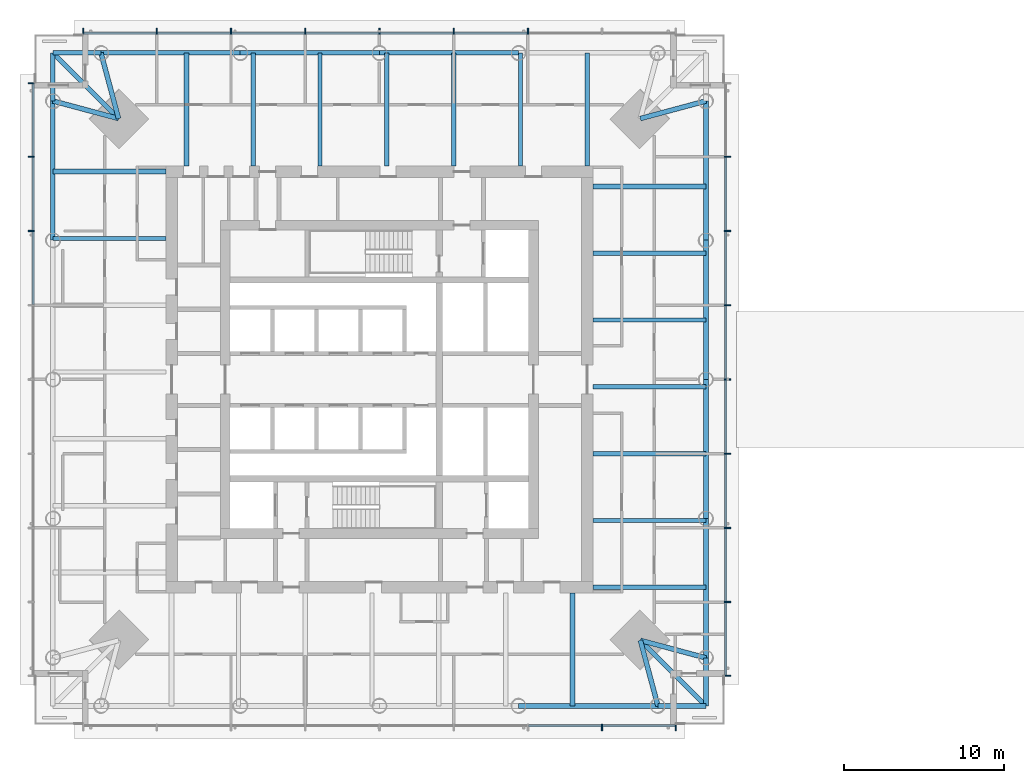
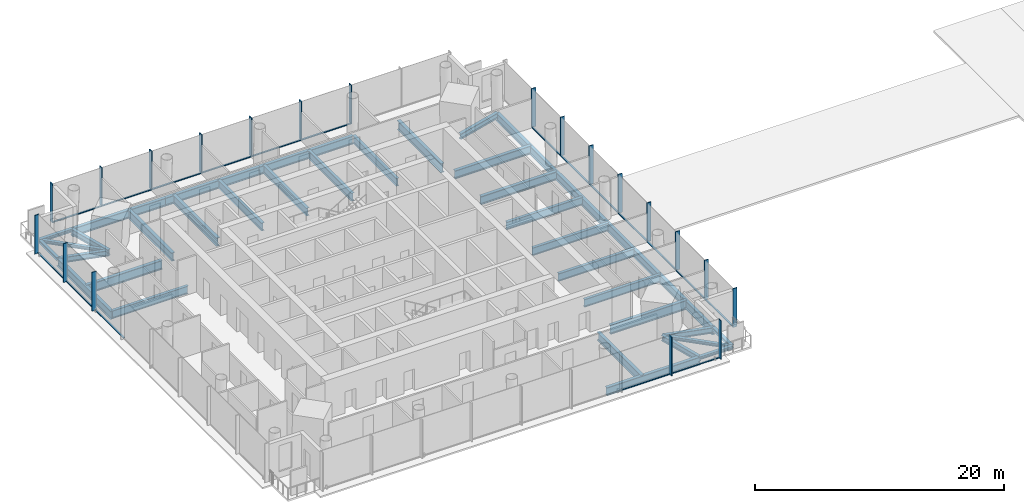
# One storey, part 2 of 16: 38 members, 37 beams, 4 elements without a shape of their own.
"""IFC4 building model written with IfcOpenShell, lengths in metres."""

from ifc_helpers import new_model, si_unit, direction, frame, origin, origin_2d, place, context, subcontext, project, spatial, rectangle, i_section, extrude, material, material_profile, profile_set, type_object, element, aggregate, save


model = new_model("IFC4")

# Units and contexts
model_context = context("Model", 3, precision=1e-05, world=origin(), true_north=direction((0.0, 1.0)))
body_context = subcontext(model_context, "Body", "Model", "MODEL_VIEW")
ifc_project = project(units=[si_unit("LENGTHUNIT", "METRE"), si_unit("AREAUNIT", "SQUARE_METRE"), si_unit("VOLUMEUNIT", "CUBIC_METRE"), si_unit("PLANEANGLEUNIT", "RADIAN"), si_unit("MASSUNIT", "GRAM", prefix="KILO")], contexts=[model_context])

# Site, building, storey
site_placement = place(None, origin())
site = spatial("IfcSite", under=ifc_project, at=site_placement, CompositionType="ELEMENT")
building_placement = place(site_placement, origin())
building = spatial("IfcBuilding", under=site, at=building_placement, Name="Ostroluk Exchange", CompositionType="ELEMENT")
storey_placement = place(building_placement, frame((0.0, 0.0, 135.0)))
storey = spatial("IfcBuildingStorey", under=building, at=storey_placement, Name="L34", CompositionType="ELEMENT", Elevation=135.0)

# Beams
ifc_material_1 = material(Name="Steel S355", Category="steel")
ifc_material_profile_1 = material_profile(ifc_material_1, i_section(OverallWidth=0.300048828125, OverallDepth=0.300048828125, WebThickness=0.010986328125, FlangeThickness=0.01904296875, FilletRadius=0.027099609375, at=origin_2d()), Name="HEB 300")
ifc_profile_set_1 = profile_set([ifc_material_profile_1], Name="Steel S355")
beam_type_1 = type_object("IfcBeamType", Name="Balcony beam HEB 300", PredefinedType="BEAM", material=ifc_profile_set_1)
for number, where, z_axis, x_axis, name in (
    (1, (27.642822265625, 66.357177734375, -0.330078125), (-1.0, 0.0, 0.0), (0.0, -1.0, 0.0), "T1 north balcony beam a"),
    (2, (24.642822265625, 63.357177734375, -0.330078125), (0.0, 1.0, 0.0), (-1.0, 0.0, 0.0), "T1 north balcony beam b"),
):
    element("IfcBeam", number, at=place(storey_placement, frame(where, z_axis=z_axis, x_axis=x_axis)), inside=storey, type_object=beam_type_1, Name=name, PredefinedType="BEAM", context=body_context, shape_type="SweptSolid", body=[
        extrude(i_section(OverallWidth=0.300048828125, OverallDepth=0.300048828125, WebThickness=0.010986328125, FlangeThickness=0.01904296875, FilletRadius=0.027099609375, at=origin_2d()), origin(), (0.0, 0.0, 1.0), 3.0),
    ])
beam_1_placement = place(storey_placement, frame((28.742919921875, 62.257080078125, -0.330078125), z_axis=(-0.707106781187, 0.707106781187, 0.0), x_axis=(-0.707106781187, -0.707106781187, 0.0)))
element("IfcBeam", 3, at=beam_1_placement, inside=storey, type_object=beam_type_1, Name="T1 north balcony beam c", PredefinedType="BEAM", context=body_context, shape_type="SweptSolid", body=[
    extrude(i_section(OverallWidth=0.300048828125, OverallDepth=0.300048828125, WebThickness=0.010986328125, FlangeThickness=0.01904296875, FilletRadius=0.027099609375, at=origin_2d()), origin(), (0.0, 0.0, 1.0), 5.79833984375),
])
for number, where, z_axis, x_axis, name in (
    (4, (62.357177734375, 25.642822265625, -0.330078125), (1.0, 0.0, 0.0), (0.0, 1.0, 0.0), "T1 south balcony beam a"),
    (5, (65.357177734375, 28.642822265625, -0.330078125), (0.0, -1.0, 0.0), (1.0, 0.0, 0.0), "T1 south balcony beam b"),
):
    element("IfcBeam", number, at=place(storey_placement, frame(where, z_axis=z_axis, x_axis=x_axis)), inside=storey, type_object=beam_type_1, Name=name, PredefinedType="BEAM", context=body_context, shape_type="SweptSolid", body=[
        extrude(i_section(OverallWidth=0.300048828125, OverallDepth=0.300048828125, WebThickness=0.010986328125, FlangeThickness=0.01904296875, FilletRadius=0.027099609375, at=origin_2d()), origin(), (0.0, 0.0, 1.0), 3.0),
    ])
beam_2_placement = place(storey_placement, frame((61.257080078125, 29.742919921875, -0.330078125), z_axis=(0.707106781187, -0.707106781187, 0.0), x_axis=(0.707106781187, 0.707106781187, 0.0)))
element("IfcBeam", 6, at=beam_2_placement, inside=storey, type_object=beam_type_1, Name="T1 south balcony beam c", PredefinedType="BEAM", context=body_context, shape_type="SweptSolid", body=[
    extrude(i_section(OverallWidth=0.300048828125, OverallDepth=0.300048828125, WebThickness=0.010986328125, FlangeThickness=0.01904296875, FilletRadius=0.027099609375, at=origin_2d()), origin(), (0.0, 0.0, 1.0), 5.79833984375),
])
ifc_material_2 = material(Name="Steel S355", Category="steel")
ifc_material_profile_2 = material_profile(ifc_material_2, i_section(OverallWidth=0.300048828125, OverallDepth=0.550048828125, WebThickness=0.014892578125, FlangeThickness=0.029052734375, FilletRadius=0.027099609375, at=origin_2d()), Name="HEB 550")
ifc_profile_set_2 = profile_set([ifc_material_profile_2], Name="Steel S355")
beam_type_2 = type_object("IfcBeamType", Name="Corner edge beam HEB 550", PredefinedType="SPANDREL", material=ifc_profile_set_2)
for number, where, z_axis, x_axis, name in (
    (7, (61.257080078125, 62.257080078125, -0.455078125), (0.965838624319, 0.259144268261, 0.0), (-0.259144268261, 0.965838624319, 0.0), "T1 east corner edge beam a"),
    (8, (28.742919921875, 62.257080078125, -0.455078125), (-0.259144268261, 0.965838624319, 0.0), (-0.965838624319, -0.259144268261, 0.0), "T1 north corner edge beam a"),
    (9, (28.742919921875, 62.257080078125, -0.455078125), (-0.965838624319, 0.259144268261, 0.0), (-0.259144268261, -0.965838624319, 0.0), "T1 north corner edge beam b"),
    (10, (61.257080078125, 29.742919921875, -0.455078125), (0.259144268261, -0.965838624319, 0.0), (0.965838624319, 0.259144268261, 0.0), "T1 south corner edge beam a"),
    (11, (61.257080078125, 29.742919921875, -0.455078125), (0.965838624319, -0.259144268261, 0.0), (0.259144268261, 0.965838624319, 0.0), "T1 south corner edge beam b"),
):
    element("IfcBeam", number, at=place(storey_placement, frame(where, z_axis=z_axis, x_axis=x_axis)), inside=storey, type_object=beam_type_2, Name=name, PredefinedType="SPANDREL", context=body_context, shape_type="SweptSolid", body=[
        extrude(i_section(OverallWidth=0.300048828125, OverallDepth=0.550048828125, WebThickness=0.014892578125, FlangeThickness=0.029052734375, FilletRadius=0.027099609375, at=origin_2d()), origin(), (0.0, 0.0, 1.0), 4.2451171875),
    ])
ifc_material_3 = material(Name="Steel S355", Category="steel")
ifc_material_profile_3 = material_profile(ifc_material_3, i_section(OverallWidth=0.302978515625, OverallDepth=0.81396484375, WebThickness=0.02099609375, FlangeThickness=0.0400390625, FilletRadius=0.030029296875, at=origin_2d()), Name="HEM 800")
ifc_profile_set_3 = profile_set([ifc_material_profile_3], Name="Steel S355")
beam_type_3 = type_object("IfcBeamType", Name="Floor beam HEM 800", PredefinedType="BEAM", material=ifc_profile_set_3)
for number, where, z_axis, x_axis, name in (
    (12, (58.300048828125, 53.866943359375, -0.5869140625), (1.0, 0.0, 0.0), (0.0, 1.0, 0.0), "T1 east floor beam 5"),
    (13, (58.300048828125, 58.0302734375, -0.5869140625), (1.0, 0.0, 0.0), (0.0, 1.0, 0.0), "T1 east floor beam 6"),
    (14, (37.133056640625, 59.300048828125, -0.5869140625), (0.0, 1.0, 0.0), (-1.0, 0.0, 0.0), "T1 north floor beam 5"),
    (15, (32.9697265625, 59.300048828125, -0.5869140625), (0.0, 1.0, 0.0), (-1.0, 0.0, 0.0), "T1 north floor beam 6"),
    (16, (57.0302734375, 32.699951171875, -0.5869140625), (0.0, -1.0, 0.0), (1.0, 0.0, 0.0), "T1 south floor beam 6"),
):
    element("IfcBeam", number, at=place(storey_placement, frame(where, z_axis=z_axis, x_axis=x_axis)), inside=storey, type_object=beam_type_3, Name=name, PredefinedType="BEAM", context=body_context, shape_type="SweptSolid", body=[
        extrude(i_section(OverallWidth=0.302978515625, OverallDepth=0.81396484375, WebThickness=0.02099609375, FlangeThickness=0.0400390625, FilletRadius=0.030029296875, at=origin_2d()), origin(), (0.0, 0.0, 1.0), 7.05712890625),
    ])
ifc_material_4 = material(Name="Steel S355", Category="steel")
ifc_material_profile_4 = material_profile(ifc_material_4, i_section(OverallWidth=0.26708984375, OverallDepth=0.761962890625, WebThickness=0.014404296875, FlangeThickness=0.021484375, FilletRadius=0.01708984375, at=origin_2d()), Name="IPE 750x173")
ifc_profile_set_4 = profile_set([ifc_material_profile_4], Name="Steel S355")
beam_type_4 = type_object("IfcBeamType", Name="Floor beam IPE 750x173", PredefinedType="BEAM", material=ifc_profile_set_4)
for number, where, z_axis, x_axis, name in (
    (17, (58.300048828125, 37.21337890625, -0.56103515625), (1.0, 0.0, 0.0), (0.0, 1.0, 0.0), "T1 east floor beam 1"),
    (18, (58.300048828125, 41.376708984375, -0.56103515625), (1.0, 0.0, 0.0), (0.0, 1.0, 0.0), "T1 east floor beam 2"),
    (19, (58.300048828125, 45.540283203125, -0.56103515625), (1.0, 0.0, 0.0), (0.0, 1.0, 0.0), "T1 east floor beam 3"),
    (20, (58.300048828125, 49.70361328125, -0.56103515625), (1.0, 0.0, 0.0), (0.0, 1.0, 0.0), "T1 east floor beam 4"),
    (21, (53.78662109375, 59.300048828125, -0.56103515625), (0.0, 1.0, 0.0), (-1.0, 0.0, 0.0), "T1 north floor beam 1"),
    (22, (49.623291015625, 59.300048828125, -0.56103515625), (0.0, 1.0, 0.0), (-1.0, 0.0, 0.0), "T1 north floor beam 2"),
    (23, (45.459716796875, 59.300048828125, -0.56103515625), (0.0, 1.0, 0.0), (-1.0, 0.0, 0.0), "T1 north floor beam 3"),
    (24, (41.29638671875, 59.300048828125, -0.56103515625), (0.0, 1.0, 0.0), (-1.0, 0.0, 0.0), "T1 north floor beam 4"),
    (25, (31.699951171875, 54.78662109375, -0.56103515625), (-1.0, 0.0, 0.0), (0.0, -1.0, 0.0), "T1 west floor beam 1"),
):
    element("IfcBeam", number, at=place(storey_placement, frame(where, z_axis=z_axis, x_axis=x_axis)), inside=storey, type_object=beam_type_4, Name=name, PredefinedType="BEAM", context=body_context, shape_type="SweptSolid", body=[
        extrude(i_section(OverallWidth=0.26708984375, OverallDepth=0.761962890625, WebThickness=0.014404296875, FlangeThickness=0.021484375, FilletRadius=0.01708984375, at=origin_2d()), origin(), (0.0, 0.0, 1.0), 7.05712890625),
    ])
ifc_material_5 = material(Name="Steel S355", Category="steel")
ifc_material_profile_5 = material_profile(ifc_material_5, i_section(OverallWidth=0.300048828125, OverallDepth=0.89990234375, WebThickness=0.0185546875, FlangeThickness=0.034912109375, FilletRadius=0.030029296875, at=origin_2d()), Name="HEB 900")
ifc_profile_set_5 = profile_set([ifc_material_profile_5], Name="Steel S355")
beam_type_5 = type_object("IfcBeamType", Name="Girder HEB 900", PredefinedType="BEAM", material=ifc_profile_set_5)
for number, where, z_axis, x_axis, name in (
    (26, (57.949951171875, 59.300048828125, -0.6298828125), (0.0, 1.0, 0.0), (-1.0, 0.0, 0.0), "T1 east girder"),
    (27, (31.699951171875, 58.949951171875, -0.6298828125), (-1.0, 0.0, 0.0), (0.0, -1.0, 0.0), "T1 north girder"),
    (28, (58.300048828125, 33.050048828125, -0.6298828125), (1.0, 0.0, 0.0), (0.0, 1.0, 0.0), "T1 south girder"),
):
    element("IfcBeam", number, at=place(storey_placement, frame(where, z_axis=z_axis, x_axis=x_axis)), inside=storey, type_object=beam_type_5, Name=name, PredefinedType="BEAM", context=body_context, shape_type="SweptSolid", body=[
        extrude(i_section(OverallWidth=0.300048828125, OverallDepth=0.89990234375, WebThickness=0.0185546875, FlangeThickness=0.034912109375, FilletRadius=0.030029296875, at=origin_2d()), origin(), (0.0, 0.0, 1.0), 7.05712890625),
    ])
ifc_material_6 = material(Name="Steel S355", Category="steel")
ifc_material_profile_6 = material_profile(ifc_material_6, i_section(OverallWidth=0.300048828125, OverallDepth=0.800048828125, WebThickness=0.017578125, FlangeThickness=0.032958984375, FilletRadius=0.030029296875, at=origin_2d()), Name="HEB 800")
ifc_profile_set_6 = profile_set([ifc_material_profile_6], Name="Steel S355")
beam_type_6 = type_object("IfcBeamType", Name="Moment-connected edge beam HEB 800", PredefinedType="SPANDREL", material=ifc_profile_set_6)
beam_3_placement = place(storey_placement, frame((65.357177734375, 28.642822265625, -0.580078125), z_axis=(0.0, 1.0, 0.0), x_axis=(-1.0, 0.0, 0.0)))
element("IfcBeam", 29, at=beam_3_placement, inside=storey, type_object=beam_type_6, Name="T1 east edge beam 1", PredefinedType="SPANDREL", context=body_context, shape_type="SweptSolid", body=[
    extrude(i_section(OverallWidth=0.300048828125, OverallDepth=0.800048828125, WebThickness=0.017578125, FlangeThickness=0.032958984375, FilletRadius=0.030029296875, at=origin_2d()), origin(), (0.0, 0.0, 1.0), 8.6787109375),
])
for number, where, z_axis, x_axis, name in (
    (30, (65.357177734375, 37.321533203125, -0.580078125), (0.0, 1.0, 0.0), (-1.0, 0.0, 0.0), "T1 east edge beam 2"),
    (31, (65.357177734375, 46.0, -0.580078125), (0.0, 1.0, 0.0), (-1.0, 0.0, 0.0), "T1 east edge beam 3"),
):
    element("IfcBeam", number, at=place(storey_placement, frame(where, z_axis=z_axis, x_axis=x_axis)), inside=storey, type_object=beam_type_6, Name=name, PredefinedType="SPANDREL", context=body_context, shape_type="SweptSolid", body=[
        extrude(i_section(OverallWidth=0.300048828125, OverallDepth=0.800048828125, WebThickness=0.017578125, FlangeThickness=0.032958984375, FilletRadius=0.030029296875, at=origin_2d()), origin(), (0.0, 0.0, 1.0), 8.678466796875),
    ])
beam_4_placement = place(storey_placement, frame((65.357177734375, 54.678466796875, -0.580078125), z_axis=(0.0, 1.0, 0.0), x_axis=(-1.0, 0.0, 0.0)))
element("IfcBeam", 32, at=beam_4_placement, inside=storey, type_object=beam_type_6, Name="T1 east edge beam 4", PredefinedType="SPANDREL", context=body_context, shape_type="SweptSolid", body=[
    extrude(i_section(OverallWidth=0.300048828125, OverallDepth=0.800048828125, WebThickness=0.017578125, FlangeThickness=0.032958984375, FilletRadius=0.030029296875, at=origin_2d()), origin(), (0.0, 0.0, 1.0), 8.6787109375),
])
for number, where, z_axis, x_axis, name in (
    (33, (53.678466796875, 66.357177734375, -0.580078125), (-1.0, 0.0, 0.0), (0.0, -1.0, 0.0), "T1 north edge beam 2"),
    (34, (45.0, 66.357177734375, -0.580078125), (-1.0, 0.0, 0.0), (0.0, -1.0, 0.0), "T1 north edge beam 3"),
):
    element("IfcBeam", number, at=place(storey_placement, frame(where, z_axis=z_axis, x_axis=x_axis)), inside=storey, type_object=beam_type_6, Name=name, PredefinedType="SPANDREL", context=body_context, shape_type="SweptSolid", body=[
        extrude(i_section(OverallWidth=0.300048828125, OverallDepth=0.800048828125, WebThickness=0.017578125, FlangeThickness=0.032958984375, FilletRadius=0.030029296875, at=origin_2d()), origin(), (0.0, 0.0, 1.0), 8.678466796875),
    ])
for number, where, z_axis, x_axis, name in (
    (35, (36.321533203125, 66.357177734375, -0.580078125), (-1.0, 0.0, 0.0), (0.0, -1.0, 0.0), "T1 north edge beam 4"),
    (36, (24.642822265625, 63.357177734375, -0.580078125), (0.0, -1.0, 0.0), (1.0, 0.0, 0.0), "T1 west edge beam 1"),
    (37, (53.678466796875, 25.642822265625, -0.580078125), (1.0, 0.0, 0.0), (0.0, 1.0, 0.0), "T1 south edge beam 4"),
):
    element("IfcBeam", number, at=place(storey_placement, frame(where, z_axis=z_axis, x_axis=x_axis)), inside=storey, type_object=beam_type_6, Name=name, PredefinedType="SPANDREL", context=body_context, shape_type="SweptSolid", body=[
        extrude(i_section(OverallWidth=0.300048828125, OverallDepth=0.800048828125, WebThickness=0.017578125, FlangeThickness=0.032958984375, FilletRadius=0.030029296875, at=origin_2d()), origin(), (0.0, 0.0, 1.0), 8.6787109375),
    ])

# Curtain wall, members
ifc_material_7 = material(Name="Laminated clear glass", Category="glass")
curtain_wall_type = type_object("IfcCurtainWallType", Name="Office tower facade", PredefinedType="USERDEFINED", material=ifc_material_7)
curtain_wall_1_placement = place(storey_placement, origin())
curtain_wall_1 = element("IfcCurtainWall", 38, at=curtain_wall_1_placement, inside=storey, type_object=curtain_wall_type, Name="Office tower south facade L34", ObjectType="UNITISED CURTAIN WALL", PredefinedType="USERDEFINED")
ifc_material_8 = material(Name="Aluminium mullion", Category="aluminium")
ifc_material_profile_7 = material_profile(ifc_material_8, rectangle(XDim=0.14990234375, YDim=0.080078125, at=origin_2d()), Name="Sill transom 80 x 150")
ifc_profile_set_7 = profile_set([ifc_material_profile_7], Name="Aluminium mullion")
member_type_1 = type_object("IfcMemberType", Name="Sill transom 80 x 150", PredefinedType="USERDEFINED", material=ifc_profile_set_7)
member_1_placement = place(storey_placement, frame((54.2900390625, 24.425048828125, 0.0400390625), z_axis=(1.0, 0.0, 0.0), x_axis=(0.0, 1.0, 0.0)))
member_1 = element("IfcMember", 39, at=member_1_placement, type_object=member_type_1, Name="CW-O1 transom 7.1", ObjectType="TRANSOM", PredefinedType="USERDEFINED", context=body_context, shape_type="SweptSolid", body=[
    extrude(rectangle(XDim=0.14990234375, YDim=0.080078125, at=origin_2d()), origin(), (0.0, 0.0, 1.0), 4.544921875),
])
member_2_placement = place(storey_placement, frame((58.9150390625, 24.425048828125, 0.0400390625), z_axis=(1.0, 0.0, 0.0), x_axis=(0.0, 1.0, 0.0)))
member_2 = element("IfcMember", 40, at=member_2_placement, type_object=member_type_1, Name="CW-O1 transom 8.1", ObjectType="TRANSOM", PredefinedType="USERDEFINED", context=body_context, shape_type="SweptSolid", body=[
    extrude(rectangle(XDim=0.14990234375, YDim=0.080078125, at=origin_2d()), origin(), (0.0, 0.0, 1.0), 4.5048828125),
])

curtain_wall_2_placement = place(storey_placement, origin())
curtain_wall_2 = element("IfcCurtainWall", 41, at=curtain_wall_2_placement, inside=storey, type_object=curtain_wall_type, Name="Office tower east facade L34", ObjectType="UNITISED CURTAIN WALL", PredefinedType="USERDEFINED")
member_3_placement = place(storey_placement, frame((66.574951171875, 27.580078125, 0.0400390625), z_axis=(0.0, 1.0, 0.0), x_axis=(-1.0, 0.0, 0.0)))
member_3 = element("IfcMember", 42, at=member_3_placement, type_object=member_type_1, Name="CW-O1 transom 1.1", ObjectType="TRANSOM", PredefinedType="USERDEFINED", context=body_context, shape_type="SweptSolid", body=[
    extrude(rectangle(XDim=0.14990234375, YDim=0.080078125, at=origin_2d()), origin(), (0.0, 0.0, 1.0), 4.5048828125),
])
member_4_placement = place(storey_placement, frame((66.574951171875, 32.1650390625, 0.0400390625), z_axis=(0.0, 1.0, 0.0), x_axis=(-1.0, 0.0, 0.0)))
member_4 = element("IfcMember", 43, at=member_4_placement, type_object=member_type_1, Name="CW-O1 transom 2.1", ObjectType="TRANSOM", PredefinedType="USERDEFINED", context=body_context, shape_type="SweptSolid", body=[
    extrude(rectangle(XDim=0.14990234375, YDim=0.080078125, at=origin_2d()), origin(), (0.0, 0.0, 1.0), 4.544921875),
])
member_5_placement = place(storey_placement, frame((66.574951171875, 36.7900390625, 0.0400390625), z_axis=(0.0, 1.0, 0.0), x_axis=(-1.0, 0.0, 0.0)))
member_5 = element("IfcMember", 44, at=member_5_placement, type_object=member_type_1, Name="CW-O1 transom 3.1", ObjectType="TRANSOM", PredefinedType="USERDEFINED", context=body_context, shape_type="SweptSolid", body=[
    extrude(rectangle(XDim=0.14990234375, YDim=0.080078125, at=origin_2d()), origin(), (0.0, 0.0, 1.0), 4.544921875),
])
member_6_placement = place(storey_placement, frame((66.574951171875, 41.4150390625, 0.0400390625), z_axis=(0.0, 1.0, 0.0), x_axis=(-1.0, 0.0, 0.0)))
member_6 = element("IfcMember", 45, at=member_6_placement, type_object=member_type_1, Name="CW-O1 transom 4.1", ObjectType="TRANSOM", PredefinedType="USERDEFINED", context=body_context, shape_type="SweptSolid", body=[
    extrude(rectangle(XDim=0.14990234375, YDim=0.080078125, at=origin_2d()), origin(), (0.0, 0.0, 1.0), 4.544921875),
])
member_7_placement = place(storey_placement, frame((66.574951171875, 46.0400390625, 0.0400390625), z_axis=(0.0, 1.0, 0.0), x_axis=(-1.0, 0.0, 0.0)))
member_7 = element("IfcMember", 46, at=member_7_placement, type_object=member_type_1, Name="CW-O1 transom 5.1", ObjectType="TRANSOM", PredefinedType="USERDEFINED", context=body_context, shape_type="SweptSolid", body=[
    extrude(rectangle(XDim=0.14990234375, YDim=0.080078125, at=origin_2d()), origin(), (0.0, 0.0, 1.0), 4.544921875),
])
member_8_placement = place(storey_placement, frame((66.574951171875, 50.6650390625, 0.0400390625), z_axis=(0.0, 1.0, 0.0), x_axis=(-1.0, 0.0, 0.0)))
member_8 = element("IfcMember", 47, at=member_8_placement, type_object=member_type_1, Name="CW-O1 transom 6.1", ObjectType="TRANSOM", PredefinedType="USERDEFINED", context=body_context, shape_type="SweptSolid", body=[
    extrude(rectangle(XDim=0.14990234375, YDim=0.080078125, at=origin_2d()), origin(), (0.0, 0.0, 1.0), 4.544921875),
])
member_9_placement = place(storey_placement, frame((66.574951171875, 55.2900390625, 0.0400390625), z_axis=(0.0, 1.0, 0.0), x_axis=(-1.0, 0.0, 0.0)))
member_9 = element("IfcMember", 48, at=member_9_placement, type_object=member_type_1, Name="CW-O1 transom 7.1", ObjectType="TRANSOM", PredefinedType="USERDEFINED", context=body_context, shape_type="SweptSolid", body=[
    extrude(rectangle(XDim=0.14990234375, YDim=0.080078125, at=origin_2d()), origin(), (0.0, 0.0, 1.0), 4.544921875),
])

curtain_wall_3_placement = place(storey_placement, origin())
curtain_wall_3 = element("IfcCurtainWall", 49, at=curtain_wall_3_placement, inside=storey, type_object=curtain_wall_type, Name="Office tower north facade L34", ObjectType="UNITISED CURTAIN WALL", PredefinedType="USERDEFINED")
member_10_placement = place(storey_placement, frame((54.2099609375, 67.574951171875, 0.0400390625), z_axis=(-1.0, 0.0, 0.0), x_axis=(0.0, -1.0, 0.0)))
member_10 = element("IfcMember", 50, at=member_10_placement, type_object=member_type_1, Name="CW-O1 transom 3.1", ObjectType="TRANSOM", PredefinedType="USERDEFINED", context=body_context, shape_type="SweptSolid", body=[
    extrude(rectangle(XDim=0.14990234375, YDim=0.080078125, at=origin_2d()), origin(), (0.0, 0.0, 1.0), 4.544921875),
])
member_11_placement = place(storey_placement, frame((49.5849609375, 67.574951171875, 0.0400390625), z_axis=(-1.0, 0.0, 0.0), x_axis=(0.0, -1.0, 0.0)))
member_11 = element("IfcMember", 51, at=member_11_placement, type_object=member_type_1, Name="CW-O1 transom 4.1", ObjectType="TRANSOM", PredefinedType="USERDEFINED", context=body_context, shape_type="SweptSolid", body=[
    extrude(rectangle(XDim=0.14990234375, YDim=0.080078125, at=origin_2d()), origin(), (0.0, 0.0, 1.0), 4.544921875),
])
member_12_placement = place(storey_placement, frame((44.9599609375, 67.574951171875, 0.0400390625), z_axis=(-1.0, 0.0, 0.0), x_axis=(0.0, -1.0, 0.0)))
member_12 = element("IfcMember", 52, at=member_12_placement, type_object=member_type_1, Name="CW-O1 transom 5.1", ObjectType="TRANSOM", PredefinedType="USERDEFINED", context=body_context, shape_type="SweptSolid", body=[
    extrude(rectangle(XDim=0.14990234375, YDim=0.080078125, at=origin_2d()), origin(), (0.0, 0.0, 1.0), 4.544921875),
])
member_13_placement = place(storey_placement, frame((40.3349609375, 67.574951171875, 0.0400390625), z_axis=(-1.0, 0.0, 0.0), x_axis=(0.0, -1.0, 0.0)))
member_13 = element("IfcMember", 53, at=member_13_placement, type_object=member_type_1, Name="CW-O1 transom 6.1", ObjectType="TRANSOM", PredefinedType="USERDEFINED", context=body_context, shape_type="SweptSolid", body=[
    extrude(rectangle(XDim=0.14990234375, YDim=0.080078125, at=origin_2d()), origin(), (0.0, 0.0, 1.0), 4.544921875),
])
member_14_placement = place(storey_placement, frame((35.7099609375, 67.574951171875, 0.0400390625), z_axis=(-1.0, 0.0, 0.0), x_axis=(0.0, -1.0, 0.0)))
member_14 = element("IfcMember", 54, at=member_14_placement, type_object=member_type_1, Name="CW-O1 transom 7.1", ObjectType="TRANSOM", PredefinedType="USERDEFINED", context=body_context, shape_type="SweptSolid", body=[
    extrude(rectangle(XDim=0.14990234375, YDim=0.080078125, at=origin_2d()), origin(), (0.0, 0.0, 1.0), 4.544921875),
])
member_15_placement = place(storey_placement, frame((31.0849609375, 67.574951171875, 0.0400390625), z_axis=(-1.0, 0.0, 0.0), x_axis=(0.0, -1.0, 0.0)))
member_15 = element("IfcMember", 55, at=member_15_placement, type_object=member_type_1, Name="CW-O1 transom 8.1", ObjectType="TRANSOM", PredefinedType="USERDEFINED", context=body_context, shape_type="SweptSolid", body=[
    extrude(rectangle(XDim=0.14990234375, YDim=0.080078125, at=origin_2d()), origin(), (0.0, 0.0, 1.0), 4.5048828125),
])

curtain_wall_4_placement = place(storey_placement, origin())
curtain_wall_4 = element("IfcCurtainWall", 56, at=curtain_wall_4_placement, inside=storey, type_object=curtain_wall_type, Name="Office tower west facade L34", ObjectType="UNITISED CURTAIN WALL", PredefinedType="USERDEFINED")
member_16_placement = place(storey_placement, frame((23.425048828125, 64.419921875, 0.0400390625), z_axis=(0.0, -1.0, 0.0), x_axis=(1.0, 0.0, 0.0)))
member_16 = element("IfcMember", 57, at=member_16_placement, type_object=member_type_1, Name="CW-O1 transom 1.1", ObjectType="TRANSOM", PredefinedType="USERDEFINED", context=body_context, shape_type="SweptSolid", body=[
    extrude(rectangle(XDim=0.14990234375, YDim=0.080078125, at=origin_2d()), origin(), (0.0, 0.0, 1.0), 4.5048828125),
])
member_17_placement = place(storey_placement, frame((23.425048828125, 59.8349609375, 0.0400390625), z_axis=(0.0, -1.0, 0.0), x_axis=(1.0, 0.0, 0.0)))
member_17 = element("IfcMember", 58, at=member_17_placement, type_object=member_type_1, Name="CW-O1 transom 2.1", ObjectType="TRANSOM", PredefinedType="USERDEFINED", context=body_context, shape_type="SweptSolid", body=[
    extrude(rectangle(XDim=0.14990234375, YDim=0.080078125, at=origin_2d()), origin(), (0.0, 0.0, 1.0), 4.544921875),
])
member_18_placement = place(storey_placement, frame((23.425048828125, 55.2099609375, 0.0400390625), z_axis=(0.0, -1.0, 0.0), x_axis=(1.0, 0.0, 0.0)))
member_18 = element("IfcMember", 59, at=member_18_placement, type_object=member_type_1, Name="CW-O1 transom 3.1", ObjectType="TRANSOM", PredefinedType="USERDEFINED", context=body_context, shape_type="SweptSolid", body=[
    extrude(rectangle(XDim=0.14990234375, YDim=0.080078125, at=origin_2d()), origin(), (0.0, 0.0, 1.0), 4.544921875),
])

# Member
ifc_material_9 = material(Name="Aluminium mullion with limestone facing", Category="masonry")
ifc_material_profile_8 = material_profile(ifc_material_9, rectangle(XDim=0.39990234375, YDim=0.080078125, at=origin_2d()), Name="Tracery mullion 80 x 400")
ifc_profile_set_8 = profile_set([ifc_material_profile_8], Name="Aluminium mullion with limestone facing")
member_type_2 = type_object("IfcMemberType", Name="Tracery mullion 80 x 400", PredefinedType="MULLION", material=ifc_profile_set_8)
member_19_placement = place(storey_placement, frame((58.875, 24.300048828125, 0.0), z_axis=(0.0, 0.0, 1.0), x_axis=(0.0, 1.0, 0.0)))
member_19 = element("IfcMember", 60, at=member_19_placement, type_object=member_type_2, Name="CW-O1 mullion 8", PredefinedType="MULLION", context=body_context, shape_type="SweptSolid", body=[
    extrude(rectangle(XDim=0.39990234375, YDim=0.080078125, at=origin_2d()), origin(), (0.0, 0.0, 1.0), 3.800048828125),
])

member_20_placement = place(storey_placement, frame((63.4599609375, 24.300048828125, 0.0), z_axis=(0.0, 0.0, 1.0), x_axis=(0.0, 1.0, 0.0)))
member_20 = element("IfcMember", 61, at=member_20_placement, type_object=member_type_2, Name="CW-O1 mullion 9", PredefinedType="MULLION", context=body_context, shape_type="SweptSolid", body=[
    extrude(rectangle(XDim=0.39990234375, YDim=0.080078125, at=origin_2d()), origin(), (0.0, 0.0, 1.0), 3.800048828125),
])

aggregate(curtain_wall_1, [member_19, member_20, member_1, member_2])

member_21_placement = place(storey_placement, frame((66.699951171875, 27.5400390625, 0.0), z_axis=(0.0, 0.0, 1.0), x_axis=(-1.0, 0.0, 0.0)))
member_21 = element("IfcMember", 62, at=member_21_placement, type_object=member_type_2, Name="CW-O1 mullion 1", PredefinedType="MULLION", context=body_context, shape_type="SweptSolid", body=[
    extrude(rectangle(XDim=0.39990234375, YDim=0.080078125, at=origin_2d()), origin(), (0.0, 0.0, 1.0), 3.800048828125),
])

member_22_placement = place(storey_placement, frame((66.699951171875, 32.125, 0.0), z_axis=(0.0, 0.0, 1.0), x_axis=(-1.0, 0.0, 0.0)))
member_22 = element("IfcMember", 63, at=member_22_placement, type_object=member_type_2, Name="CW-O1 mullion 2", PredefinedType="MULLION", context=body_context, shape_type="SweptSolid", body=[
    extrude(rectangle(XDim=0.39990234375, YDim=0.080078125, at=origin_2d()), origin(), (0.0, 0.0, 1.0), 3.800048828125),
])

member_23_placement = place(storey_placement, frame((66.699951171875, 36.75, 0.0), z_axis=(0.0, 0.0, 1.0), x_axis=(-1.0, 0.0, 0.0)))
member_23 = element("IfcMember", 64, at=member_23_placement, type_object=member_type_2, Name="CW-O1 mullion 3", PredefinedType="MULLION", context=body_context, shape_type="SweptSolid", body=[
    extrude(rectangle(XDim=0.39990234375, YDim=0.080078125, at=origin_2d()), origin(), (0.0, 0.0, 1.0), 3.800048828125),
])

member_24_placement = place(storey_placement, frame((66.699951171875, 41.375, 0.0), z_axis=(0.0, 0.0, 1.0), x_axis=(-1.0, 0.0, 0.0)))
member_24 = element("IfcMember", 65, at=member_24_placement, type_object=member_type_2, Name="CW-O1 mullion 4", PredefinedType="MULLION", context=body_context, shape_type="SweptSolid", body=[
    extrude(rectangle(XDim=0.39990234375, YDim=0.080078125, at=origin_2d()), origin(), (0.0, 0.0, 1.0), 3.800048828125),
])

member_25_placement = place(storey_placement, frame((66.699951171875, 46.0, 0.0), z_axis=(0.0, 0.0, 1.0), x_axis=(-1.0, 0.0, 0.0)))
member_25 = element("IfcMember", 66, at=member_25_placement, type_object=member_type_2, Name="CW-O1 mullion 5", PredefinedType="MULLION", context=body_context, shape_type="SweptSolid", body=[
    extrude(rectangle(XDim=0.39990234375, YDim=0.080078125, at=origin_2d()), origin(), (0.0, 0.0, 1.0), 3.800048828125),
])

member_26_placement = place(storey_placement, frame((66.699951171875, 50.625, 0.0), z_axis=(0.0, 0.0, 1.0), x_axis=(-1.0, 0.0, 0.0)))
member_26 = element("IfcMember", 67, at=member_26_placement, type_object=member_type_2, Name="CW-O1 mullion 6", PredefinedType="MULLION", context=body_context, shape_type="SweptSolid", body=[
    extrude(rectangle(XDim=0.39990234375, YDim=0.080078125, at=origin_2d()), origin(), (0.0, 0.0, 1.0), 3.800048828125),
])

member_27_placement = place(storey_placement, frame((66.699951171875, 55.25, 0.0), z_axis=(0.0, 0.0, 1.0), x_axis=(-1.0, 0.0, 0.0)))
member_27 = element("IfcMember", 68, at=member_27_placement, type_object=member_type_2, Name="CW-O1 mullion 7", PredefinedType="MULLION", context=body_context, shape_type="SweptSolid", body=[
    extrude(rectangle(XDim=0.39990234375, YDim=0.080078125, at=origin_2d()), origin(), (0.0, 0.0, 1.0), 3.800048828125),
])

member_28_placement = place(storey_placement, frame((66.699951171875, 59.875, 0.0), z_axis=(0.0, 0.0, 1.0), x_axis=(-1.0, 0.0, 0.0)))
member_28 = element("IfcMember", 69, at=member_28_placement, type_object=member_type_2, Name="CW-O1 mullion 8", PredefinedType="MULLION", context=body_context, shape_type="SweptSolid", body=[
    extrude(rectangle(XDim=0.39990234375, YDim=0.080078125, at=origin_2d()), origin(), (0.0, 0.0, 1.0), 3.800048828125),
])

aggregate(curtain_wall_2, [member_21, member_22, member_23, member_24, member_25, member_26, member_27, member_28, member_3, member_4, member_5, member_6, member_7, member_8, member_9])

member_29_placement = place(storey_placement, frame((54.25, 67.699951171875, 0.0), z_axis=(0.0, 0.0, 1.0), x_axis=(0.0, -1.0, 0.0)))
member_29 = element("IfcMember", 70, at=member_29_placement, type_object=member_type_2, Name="CW-O1 mullion 3", PredefinedType="MULLION", context=body_context, shape_type="SweptSolid", body=[
    extrude(rectangle(XDim=0.39990234375, YDim=0.080078125, at=origin_2d()), origin(), (0.0, 0.0, 1.0), 3.800048828125),
])

member_30_placement = place(storey_placement, frame((49.625, 67.699951171875, 0.0), z_axis=(0.0, 0.0, 1.0), x_axis=(0.0, -1.0, 0.0)))
member_30 = element("IfcMember", 71, at=member_30_placement, type_object=member_type_2, Name="CW-O1 mullion 4", PredefinedType="MULLION", context=body_context, shape_type="SweptSolid", body=[
    extrude(rectangle(XDim=0.39990234375, YDim=0.080078125, at=origin_2d()), origin(), (0.0, 0.0, 1.0), 3.800048828125),
])

member_31_placement = place(storey_placement, frame((45.0, 67.699951171875, 0.0), z_axis=(0.0, 0.0, 1.0), x_axis=(0.0, -1.0, 0.0)))
member_31 = element("IfcMember", 72, at=member_31_placement, type_object=member_type_2, Name="CW-O1 mullion 5", PredefinedType="MULLION", context=body_context, shape_type="SweptSolid", body=[
    extrude(rectangle(XDim=0.39990234375, YDim=0.080078125, at=origin_2d()), origin(), (0.0, 0.0, 1.0), 3.800048828125),
])

member_32_placement = place(storey_placement, frame((40.375, 67.699951171875, 0.0), z_axis=(0.0, 0.0, 1.0), x_axis=(0.0, -1.0, 0.0)))
member_32 = element("IfcMember", 73, at=member_32_placement, type_object=member_type_2, Name="CW-O1 mullion 6", PredefinedType="MULLION", context=body_context, shape_type="SweptSolid", body=[
    extrude(rectangle(XDim=0.39990234375, YDim=0.080078125, at=origin_2d()), origin(), (0.0, 0.0, 1.0), 3.800048828125),
])

member_33_placement = place(storey_placement, frame((35.75, 67.699951171875, 0.0), z_axis=(0.0, 0.0, 1.0), x_axis=(0.0, -1.0, 0.0)))
member_33 = element("IfcMember", 74, at=member_33_placement, type_object=member_type_2, Name="CW-O1 mullion 7", PredefinedType="MULLION", context=body_context, shape_type="SweptSolid", body=[
    extrude(rectangle(XDim=0.39990234375, YDim=0.080078125, at=origin_2d()), origin(), (0.0, 0.0, 1.0), 3.800048828125),
])

member_34_placement = place(storey_placement, frame((31.125, 67.699951171875, 0.0), z_axis=(0.0, 0.0, 1.0), x_axis=(0.0, -1.0, 0.0)))
member_34 = element("IfcMember", 75, at=member_34_placement, type_object=member_type_2, Name="CW-O1 mullion 8", PredefinedType="MULLION", context=body_context, shape_type="SweptSolid", body=[
    extrude(rectangle(XDim=0.39990234375, YDim=0.080078125, at=origin_2d()), origin(), (0.0, 0.0, 1.0), 3.800048828125),
])

member_35_placement = place(storey_placement, frame((26.5400390625, 67.699951171875, 0.0), z_axis=(0.0, 0.0, 1.0), x_axis=(0.0, -1.0, 0.0)))
member_35 = element("IfcMember", 76, at=member_35_placement, type_object=member_type_2, Name="CW-O1 mullion 9", PredefinedType="MULLION", context=body_context, shape_type="SweptSolid", body=[
    extrude(rectangle(XDim=0.39990234375, YDim=0.080078125, at=origin_2d()), origin(), (0.0, 0.0, 1.0), 3.800048828125),
])

aggregate(curtain_wall_3, [member_29, member_30, member_31, member_32, member_33, member_34, member_35, member_10, member_11, member_12, member_13, member_14, member_15])

member_36_placement = place(storey_placement, frame((23.300048828125, 64.4599609375, 0.0), z_axis=(0.0, 0.0, 1.0), x_axis=(1.0, 0.0, 0.0)))
member_36 = element("IfcMember", 77, at=member_36_placement, type_object=member_type_2, Name="CW-O1 mullion 1", PredefinedType="MULLION", context=body_context, shape_type="SweptSolid", body=[
    extrude(rectangle(XDim=0.39990234375, YDim=0.080078125, at=origin_2d()), origin(), (0.0, 0.0, 1.0), 3.800048828125),
])

member_37_placement = place(storey_placement, frame((23.300048828125, 59.875, 0.0), z_axis=(0.0, 0.0, 1.0), x_axis=(1.0, 0.0, 0.0)))
member_37 = element("IfcMember", 78, at=member_37_placement, type_object=member_type_2, Name="CW-O1 mullion 2", PredefinedType="MULLION", context=body_context, shape_type="SweptSolid", body=[
    extrude(rectangle(XDim=0.39990234375, YDim=0.080078125, at=origin_2d()), origin(), (0.0, 0.0, 1.0), 3.800048828125),
])

member_38_placement = place(storey_placement, frame((23.300048828125, 55.25, 0.0), z_axis=(0.0, 0.0, 1.0), x_axis=(1.0, 0.0, 0.0)))
member_38 = element("IfcMember", 79, at=member_38_placement, type_object=member_type_2, Name="CW-O1 mullion 3", PredefinedType="MULLION", context=body_context, shape_type="SweptSolid", body=[
    extrude(rectangle(XDim=0.39990234375, YDim=0.080078125, at=origin_2d()), origin(), (0.0, 0.0, 1.0), 3.800048828125),
])

aggregate(curtain_wall_4, [member_36, member_37, member_38, member_16, member_17, member_18])

save(model, "model.ifc")
